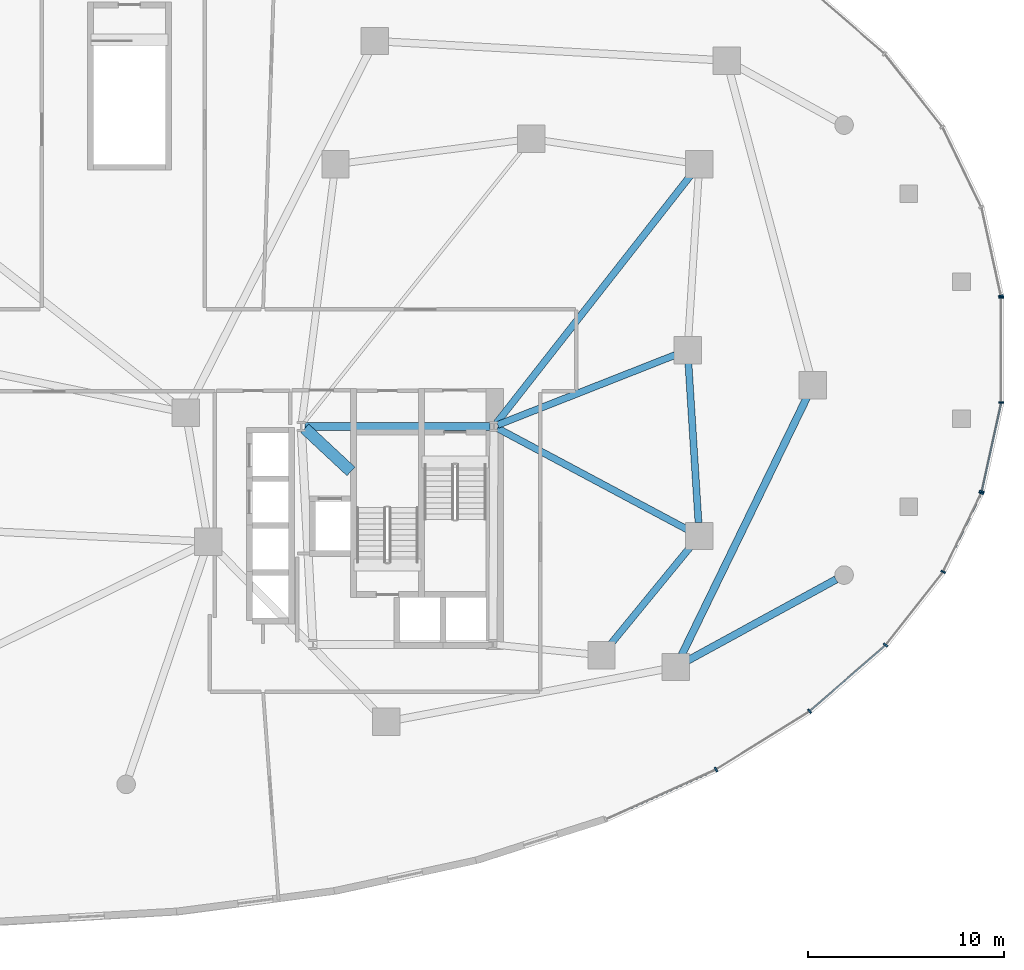
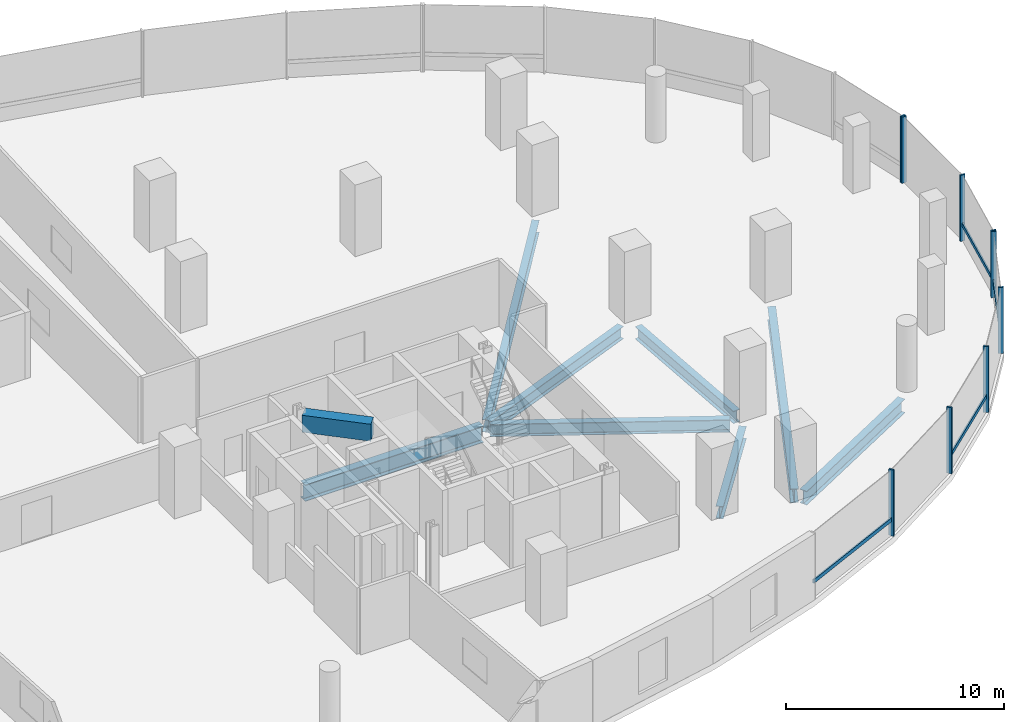
# One storey, part 8 of 18: 13 members, 9 beams, 3 elements without a shape of their own.
"""IFC4 building model written with IfcOpenShell, lengths in metres."""

import ifcopenshell
import ifcopenshell.guid

model = None  # the IFC model being written
_history = None  # IfcOwnerHistory: only IFC2X3 demands one
_inside = {}  # id of a spatial element -> (the spatial element, [elements in it])
_under = {}  # id of a project, library or spatial element -> (it, [spatial elements below it])
_declared = {}  # id of a project -> (the project, [libraries it declares])
_typed = {}  # id of a type object -> (the type object, [elements of that type])
_made_of = {}  # id of a material, layer set ... -> (it, [elements and type objects made of it])


def new_model(schema):
    """Start an empty IFC model of exactly this schema.

    Asked for "IFC4X3", IfcOpenShell would pick the latest addendum, in which some entities
    have other attributes; the version numbers below select the first issue.
    IFC2X3 requires an IfcOwnerHistory on every rooted entity: one is made here for all.
    """
    global model, _history
    if schema == "IFC4X3":
        model = ifcopenshell.file(schema_version=(4, 3, 0, 0))
    else:
        model = ifcopenshell.file(schema=schema)
    _inside.clear()
    _under.clear()
    _declared.clear()
    _typed.clear()
    _made_of.clear()
    _history = None
    if model.schema == "IFC2X3":
        org = make("IfcOrganization", Name="unknown")
        user = make(
            "IfcPersonAndOrganization",
            ThePerson=make("IfcPerson", FamilyName="unknown"),
            TheOrganization=org,
        )
        app = make(
            "IfcApplication",
            ApplicationDeveloper=org,
            Version="unknown",
            ApplicationFullName="unknown",
            ApplicationIdentifier="unknown",
        )
        _history = make(
            "IfcOwnerHistory",
            OwningUser=user,
            OwningApplication=app,
            ChangeAction="ADDED",
            CreationDate=0,
        )
    return model


def make(cls, **values):
    """One entity of the class cls with the attributes given. An attribute that is None is left unset."""
    return model.create_entity(
        cls, **{name: value for name, value in values.items() if value is not None}
    )


def rooted(cls, **values):
    """An entity with a GlobalId (a new one), such as an element, a storey or a relation."""
    return make(cls, GlobalId=ifcopenshell.guid.new(), OwnerHistory=_history, **values)


def si_unit(unit_type, name, prefix=None):
    """IfcSIUnit, for example si_unit("LENGTHUNIT", "METRE", prefix="MILLI")."""
    return make("IfcSIUnit", UnitType=unit_type, Prefix=prefix, Name=name)


def assignment(units):
    """IfcUnitAssignment: the units of a project."""
    return None if units is None else make("IfcUnitAssignment", Units=units)


def point(xyz):
    """IfcCartesianPoint."""
    return None if xyz is None else make("IfcCartesianPoint", Coordinates=xyz)


def direction(xyz):
    """IfcDirection."""
    return None if xyz is None else make("IfcDirection", DirectionRatios=xyz)


def frame(location, z_axis=None, x_axis=None):
    """IfcAxis2Placement3D, a coordinate frame: its origin and axes. An axis left out is left unset."""
    return make(
        "IfcAxis2Placement3D",
        Location=point(location),
        Axis=direction(z_axis),
        RefDirection=direction(x_axis),
    )


def frame_2d(location, x_axis=None):
    """IfcAxis2Placement2D, a coordinate frame in the plane: its origin and x axis."""
    return make(
        "IfcAxis2Placement2D", Location=point(location), RefDirection=direction(x_axis)
    )


def origin():
    """The frame at (0, 0, 0) with its axes left unset."""
    return frame((0.0, 0.0, 0.0))


def origin_2d():
    """The frame at (0, 0) in the plane with its x axis left unset."""
    return frame_2d((0.0, 0.0))


def place(relative_to, where):
    """IfcLocalPlacement: puts the frame where relative to a parent placement (None: the world)."""
    return make(
        "IfcLocalPlacement", PlacementRelTo=relative_to, RelativePlacement=where
    )


def context(
    kind, dimensions, precision=None, world=None, true_north=None, identifier=None
):
    """IfcGeometricRepresentationContext, for example the 3D "Model" context."""
    return make(
        "IfcGeometricRepresentationContext",
        ContextIdentifier=identifier,
        ContextType=kind,
        CoordinateSpaceDimension=dimensions,
        Precision=precision,
        WorldCoordinateSystem=world,
        TrueNorth=true_north,
    )


def subcontext(parent, identifier, kind, view, scale=None):
    """IfcGeometricRepresentationSubContext, for example "Body" below "Model"."""
    return make(
        "IfcGeometricRepresentationSubContext",
        ContextIdentifier=identifier,
        ContextType=kind,
        ParentContext=parent,
        TargetScale=scale,
        TargetView=view,
    )


def project(units=None, contexts=None):
    """IfcProject with its units and contexts."""
    return rooted(
        "IfcProject",
        Name="project",
        RepresentationContexts=contexts,
        UnitsInContext=assignment(units),
    )


def spatial(cls, under=None, at=None, **own):
    """A site, building, storey or space (cls), placed at a placement, below another one or the project."""
    s = rooted(cls, ObjectPlacement=at, **own)
    if under is not None:
        _under.setdefault(under.id(), (under, []))[1].append(s)
    return s


def profile(cls, at=None, kind="AREA", **sizes):
    """A parametric profile (cls). Its sizes go by their IFC names, for example OverallWidth=200.0."""
    return make(cls, ProfileType=kind, Position=at, **sizes)


def rectangle(**sizes):
    """IfcRectangleProfileDef."""
    return profile("IfcRectangleProfileDef", **sizes)


def i_section(**sizes):
    """IfcIShapeProfileDef."""
    return profile("IfcIShapeProfileDef", **sizes)


def extrude(swept, where, along, depth):
    """IfcExtrudedAreaSolid: the profile swept, set in the frame where, extruded along a direction by depth."""
    return make(
        "IfcExtrudedAreaSolid",
        SweptArea=swept,
        Position=where,
        ExtrudedDirection=direction(along),
        Depth=depth,
    )


def shape(context_of_items, identifier, shape_type, items):
    """IfcShapeRepresentation: the items that make up one representation, for example the "Body"."""
    return make(
        "IfcShapeRepresentation",
        ContextOfItems=context_of_items,
        RepresentationIdentifier=identifier,
        RepresentationType=shape_type,
        Items=items,
    )


def material(Name=None, Category=None):
    """IfcMaterial."""
    return make("IfcMaterial", Name=Name, Category=Category)


def material_profile(
    of_material, cross_section, Name=None, Category=None, Priority=None
):
    """IfcMaterialProfile: a cross section and its material."""
    return make(
        "IfcMaterialProfile",
        Name=Name,
        Material=of_material,
        Profile=cross_section,
        Priority=Priority,
        Category=Category,
    )


def profile_set(profiles, Name=None, composite=None):
    """IfcMaterialProfileSet."""
    return make(
        "IfcMaterialProfileSet",
        Name=Name,
        MaterialProfiles=profiles,
        CompositeProfile=composite,
    )


def made_of(thing, what):
    """Note that an element or type object is made of a material, layer set ...; save() writes the relation."""
    if what is not None:
        _made_of.setdefault(what.id(), (what, []))[1].append(thing)
    return thing


def type_object(cls, material=None, **own):
    """A type object (cls), such as IfcWallType, which elements share."""
    return made_of(rooted(cls, **own), material)


def element(
    cls,
    number,
    at=None,
    inside=None,
    cuts=None,
    type_object=None,
    material=None,
    context=None,
    identifier="Body",
    shape_type=None,
    held_by="IfcProductDefinitionShape",
    body=None,
    shapes=None,
    **own,
):
    """One element of the class cls, such as IfcWall. Its Tag is "e" and its number.

    at: its placement. inside: the storey or other place that contains it. cuts: it is an
    opening in that element (IfcRelVoidsElement). A single representation is given by context,
    identifier, shape_type and body (its items); several are given by shapes. held_by: the class
    of the entity that holds the representations. save() writes the other relations.
    """
    e = rooted(cls, Tag="e%d" % number, ObjectPlacement=at, **own)
    if body is not None:
        shapes = [shape(context, identifier, shape_type, body)]
    if shapes is not None:
        e.Representation = make(held_by, Representations=shapes)
    if inside is not None:
        _inside.setdefault(inside.id(), (inside, []))[1].append(e)
    if cuts is not None:
        rooted(
            "IfcRelVoidsElement", RelatingBuildingElement=cuts, RelatedOpeningElement=e
        )
    if type_object is not None:
        _typed.setdefault(type_object.id(), (type_object, []))[1].append(e)
    return made_of(e, material)


def aggregate(whole, parts):
    """IfcRelAggregates: a whole, such as a stair, and the parts it consists of."""
    return rooted("IfcRelAggregates", RelatingObject=whole, RelatedObjects=parts)


def save(model, path):
    """Write the relations noted so far, then the file.

    IfcRelAggregates (storeys below a building ...), IfcRelContainedInSpatialStructure (elements
    in a storey), IfcRelDefinesByType, IfcRelAssociatesMaterial and IfcRelDeclares: one each for
    every whole, place, type object, material and project.
    """
    for whole, parts in _under.values():
        aggregate(whole, parts)
    for where, things in _inside.values():
        rooted(
            "IfcRelContainedInSpatialStructure",
            RelatedElements=things,
            RelatingStructure=where,
        )
    for kind, things in _typed.values():
        rooted("IfcRelDefinesByType", RelatedObjects=things, RelatingType=kind)
    for what, things in _made_of.values():
        rooted("IfcRelAssociatesMaterial", RelatedObjects=things, RelatingMaterial=what)
    for by, libraries in _declared.values():
        rooted("IfcRelDeclares", RelatingContext=by, RelatedDefinitions=libraries)
    model.write(path)


model = new_model("IFC4")

# Units and contexts
model_context = context("Model", 3, precision=1e-05, world=origin(), true_north=direction((0.0, 1.0)))
body_context = subcontext(model_context, "Body", "Model", "MODEL_VIEW")
ifc_project = project(units=[si_unit("LENGTHUNIT", "METRE"), si_unit("AREAUNIT", "SQUARE_METRE"), si_unit("VOLUMEUNIT", "CUBIC_METRE"), si_unit("PLANEANGLEUNIT", "RADIAN"), si_unit("MASSUNIT", "GRAM", prefix="KILO"), si_unit("THERMODYNAMICTEMPERATUREUNIT", "KELVIN"), si_unit("POWERUNIT", "WATT")], contexts=[model_context])

# Site, building, storey
site_placement = place(None, origin())
site = spatial("IfcSite", under=ifc_project, at=site_placement, CompositionType="ELEMENT")
building_placement = place(site_placement, origin())
building = spatial("IfcBuilding", under=site, at=building_placement, Name="Cundina Bronze Exchange", CompositionType="ELEMENT")
storey_placement = place(building_placement, frame((0.0, 0.0, 20.0)))
storey = spatial("IfcBuildingStorey", under=building, at=storey_placement, Name="L04", CompositionType="ELEMENT", Elevation=20.0)

# Beams
ifc_material_1 = material(Name="Concrete C60/75", Category="concrete")
ifc_material_profile_1 = material_profile(ifc_material_1, rectangle(XDim=0.60009765625, YDim=0.949951171875, at=origin_2d()), Name="RC600X950", Category="concrete")
ifc_profile_set_1 = profile_set([ifc_material_profile_1], Name="Concrete C60/75")
beam_type_1 = type_object("IfcBeamType", Name="BM-COUP-RC950", PredefinedType="LINTEL", material=ifc_profile_set_1)
beam_1_placement = place(storey_placement, frame((21.6298828125, -4.0, 3.22509765625), z_axis=(0.731490439815, -0.681851696822, 0.0), x_axis=(0.681851696822, 0.731490439815, 0.0)))
element("IfcBeam", 1, at=beam_1_placement, inside=storey, type_object=beam_type_1, Name="L04 E Core Shear Coupling Lintel Beam", PredefinedType="LINTEL", context=body_context, shape_type="SweptSolid", body=[
    extrude(rectangle(XDim=0.60009765625, YDim=0.949951171875, at=origin_2d()), origin(), (0.0, 0.0, 1.0), 3.226318359375),
])
ifc_material_2 = material(Name="Steel ASTM A992 Grade 50", Category="steel")
ifc_material_profile_2 = material_profile(ifc_material_2, i_section(OverallWidth=0.35498046875, OverallDepth=0.695068359375, WebThickness=0.015380859375, FlangeThickness=0.02490234375, FilletRadius=0.01806640625, at=origin_2d()), Name="W27X146", Category="steel")
ifc_profile_set_2 = profile_set([ifc_material_profile_2], Name="Steel ASTM A992 Grade 50")
beam_type_2 = type_object("IfcBeamType", Name="BM-RING-W27", PredefinedType="USERDEFINED", material=ifc_profile_set_2)
beam_2_placement = place(storey_placement, frame((37.236083984375, -15.06787109375, -0.697509765625), z_axis=(0.633941925234, 0.773380653644, 0.0), x_axis=(-0.773380653644, 0.633941925234, 0.0)))
element("IfcBeam", 2, at=beam_2_placement, inside=storey, type_object=beam_type_2, Name="L04 E Inner Structural Ring Girder 02", ObjectType="GIRDER", PredefinedType="USERDEFINED", context=body_context, shape_type="SweptSolid", body=[
    extrude(i_section(OverallWidth=0.35498046875, OverallDepth=0.695068359375, WebThickness=0.015380859375, FlangeThickness=0.02490234375, FilletRadius=0.01806640625, at=origin_2d()), origin(), (0.0, 0.0, 1.0), 6.511474609375),
])
beam_3_placement = place(storey_placement, frame((41.756591796875, -8.8134765625, -0.697509765625), z_axis=(-0.063020359641, 0.998012241544, 0.0), x_axis=(-0.998012241544, -0.063020359641, 0.0)))
element("IfcBeam", 3, at=beam_3_placement, inside=storey, type_object=beam_type_2, Name="L04 E Inner Structural Ring Girder 03", ObjectType="GIRDER", PredefinedType="USERDEFINED", context=body_context, shape_type="SweptSolid", body=[
    extrude(i_section(OverallWidth=0.35498046875, OverallDepth=0.695068359375, WebThickness=0.015380859375, FlangeThickness=0.02490234375, FilletRadius=0.01806640625, at=origin_2d()), origin(), (0.0, 0.0, 1.0), 8.14306640625),
])
beam_4_placement = place(storey_placement, frame((31.48974609375, -3.8251953125, -0.697509765625), z_axis=(0.930410463214, 0.366519262715, 0.0), x_axis=(-0.366519262715, 0.930410463214, 0.0)))
element("IfcBeam", 4, at=beam_4_placement, inside=storey, type_object=beam_type_2, Name="L04 E Core-to-Waist Tie Beam 1", ObjectType="GIRDER", PredefinedType="USERDEFINED", context=body_context, shape_type="SweptSolid", body=[
    extrude(i_section(OverallWidth=0.35498046875, OverallDepth=0.695068359375, WebThickness=0.015380859375, FlangeThickness=0.02490234375, FilletRadius=0.01806640625, at=origin_2d()), origin(), (0.0, 0.0, 1.0), 9.74853515625),
])
beam_5_placement = place(storey_placement, frame((31.47998046875, -3.99609375, -0.697509765625), z_axis=(0.882354169055, -0.470585933014, 0.0), x_axis=(0.470585933014, 0.882354169055, 0.0)))
element("IfcBeam", 5, at=beam_5_placement, inside=storey, type_object=beam_type_2, Name="L04 E Core-to-Waist Tie Beam 2", ObjectType="GIRDER", PredefinedType="USERDEFINED", context=body_context, shape_type="SweptSolid", body=[
    extrude(i_section(OverallWidth=0.35498046875, OverallDepth=0.695068359375, WebThickness=0.015380859375, FlangeThickness=0.02490234375, FilletRadius=0.01806640625, at=origin_2d()), origin(), (0.0, 0.0, 1.0), 11.0078125),
])
beam_6_placement = place(storey_placement, frame((31.42578125, -3.739501953125, -0.697509765625), z_axis=(0.616784362929, 0.787132167839, 0.0), x_axis=(-0.787132167839, 0.616784362929, 0.0)))
element("IfcBeam", 6, at=beam_6_placement, inside=storey, type_object=beam_type_2, Name="L04 E Core-to-Waist Tie Beam 3", ObjectType="GIRDER", PredefinedType="USERDEFINED", context=body_context, shape_type="SweptSolid", body=[
    extrude(i_section(OverallWidth=0.35498046875, OverallDepth=0.695068359375, WebThickness=0.015380859375, FlangeThickness=0.02490234375, FilletRadius=0.01806640625, at=origin_2d()), origin(), (0.0, 0.0, 1.0), 16.132080078125),
])
ifc_material_profile_3 = material_profile(ifc_material_2, i_section(OverallWidth=0.381103515625, OverallDepth=0.77294921875, WebThickness=0.0166015625, FlangeThickness=0.027099609375, FilletRadius=0.01904296875, at=origin_2d()), Name="W30X173", Category="steel")
ifc_profile_set_3 = profile_set([ifc_material_profile_3], Name="Steel ASTM A992 Grade 50")
beam_type_3 = type_object("IfcBeamType", Name="BM-RING-W30", PredefinedType="USERDEFINED", material=ifc_profile_set_3)
beam_7_placement = place(storey_placement, frame((48.793701171875, -11.721923828125, -0.736572265625), z_axis=(-0.877499398221, -0.479577737308, 0.0), x_axis=(0.479577737308, -0.877499398221, 0.0)))
element("IfcBeam", 7, at=beam_7_placement, inside=storey, type_object=beam_type_3, Name="L04 Podium Colonnade Tie Beam 08", ObjectType="GIRDER", PredefinedType="USERDEFINED", context=body_context, shape_type="SweptSolid", body=[
    extrude(i_section(OverallWidth=0.381103515625, OverallDepth=0.77294921875, WebThickness=0.0166015625, FlangeThickness=0.027099609375, FilletRadius=0.01904296875, at=origin_2d()), origin(), (0.0, 0.0, 1.0), 8.649658203125),
])
beam_8_placement = place(storey_placement, frame((40.90087890625, -15.581298828125, -0.736572265625), z_axis=(0.437190083216, 0.899369129522, 0.0), x_axis=(-0.899369129522, 0.437190083216, 0.0)))
element("IfcBeam", 8, at=beam_8_placement, inside=storey, type_object=beam_type_3, Name="L04 E Podium Ring Girder 06", ObjectType="GIRDER", PredefinedType="USERDEFINED", context=body_context, shape_type="SweptSolid", body=[
    extrude(i_section(OverallWidth=0.381103515625, OverallDepth=0.77294921875, WebThickness=0.0166015625, FlangeThickness=0.027099609375, FilletRadius=0.01904296875, at=origin_2d()), origin(), (0.0, 0.0, 1.0), 14.63525390625),
])
ifc_material_profile_4 = material_profile(ifc_material_2, i_section(OverallWidth=0.41796875, OverallDepth=0.927001953125, WebThickness=0.019287109375, FlangeThickness=0.031982421875, FilletRadius=0.02392578125, at=origin_2d()), Name="W36X231", Category="steel")
ifc_profile_set_4 = profile_set([ifc_material_profile_4], Name="Steel ASTM A992 Grade 50")
beam_type_4 = type_object("IfcBeamType", Name="BM-WRN-W36B", PredefinedType="USERDEFINED", material=ifc_profile_set_4)
beam_9_placement = place(storey_placement, frame((31.095947265625, -3.89990234375, -0.8134765625), z_axis=(-1.0, 0.0, 0.0), x_axis=(0.0, -1.0, 0.0)))
element("IfcBeam", 9, at=beam_9_placement, inside=storey, type_object=beam_type_4, Name="L04 E Core Perimeter Tie Girder 1", ObjectType="GIRDER", PredefinedType="USERDEFINED", context=body_context, shape_type="SweptSolid", body=[
    extrude(i_section(OverallWidth=0.41796875, OverallDepth=0.927001953125, WebThickness=0.019287109375, FlangeThickness=0.031982421875, FilletRadius=0.02392578125, at=origin_2d()), origin(), (0.0, 0.0, 1.0), 9.44189453125),
])

# Curtain wall, member
ifc_material_3 = material(Name="Anodised Bronze Aluminium 6063-T6", Category="aluminium")
curtain_wall_type = type_object("IfcCurtainWallType", Name="CWS-POD-CONC", PredefinedType="NOTDEFINED", material=ifc_material_3)
curtain_wall_1_placement = place(storey_placement, origin())
curtain_wall_1 = element("IfcCurtainWall", 10, at=curtain_wall_1_placement, inside=storey, type_object=curtain_wall_type, Name="L04 CW-01 Curtain Wall Run CWR-L04-01", PredefinedType="NOTDEFINED")
ifc_material_profile_5 = material_profile(ifc_material_3, rectangle(XDim=0.0849609375, YDim=0.25, at=origin_2d()), Name="AL85X250", Category="aluminium")
ifc_profile_set_5 = profile_set([ifc_material_profile_5], Name="Anodised Bronze Aluminium 6063-T6")
member_type_1 = type_object("IfcMemberType", Name="CWM-MUL-250", PredefinedType="MULLION", material=ifc_profile_set_5)
member_1_placement = place(storey_placement, frame((57.219482421875, 2.76708984375, 0.0), z_axis=(0.0, 0.0, 1.0), x_axis=(-0.214564862428, 0.976709741843, 0.0)))
member_1 = element("IfcMember", 11, at=member_1_placement, type_object=member_type_1, Name="CW-01 Mullion 1", PredefinedType="MULLION", context=body_context, shape_type="SweptSolid", body=[
    extrude(rectangle(XDim=0.0849609375, YDim=0.25, at=origin_2d()), origin(), (0.0, 0.0, 1.0), 3.699951171875),
])
aggregate(curtain_wall_1, [member_1])

# Curtain wall, members
curtain_wall_2_placement = place(storey_placement, origin())
curtain_wall_2 = element("IfcCurtainWall", 12, at=curtain_wall_2_placement, inside=storey, type_object=curtain_wall_type, Name="L04 CW-01 Curtain Wall Run CWR-L04-06", PredefinedType="NOTDEFINED")
member_2_placement = place(storey_placement, frame((42.654052734375, -21.4404296875, 0.0), z_axis=(0.0, 0.0, 1.0), x_axis=(0.849340400263, 0.527845511945, 0.0)))
member_2 = element("IfcMember", 13, at=member_2_placement, type_object=member_type_1, Name="CW-01 Mullion 2", PredefinedType="MULLION", context=body_context, shape_type="SweptSolid", body=[
    extrude(rectangle(XDim=0.0849609375, YDim=0.25, at=origin_2d()), origin(), (0.0, 0.0, 1.0), 3.699951171875),
])
member_3_placement = place(storey_placement, frame((47.43701171875, -18.45849609375, 0.0), z_axis=(0.0, 0.0, 1.0), x_axis=(0.755510544084, 0.6551364879, 0.0)))
member_3 = element("IfcMember", 14, at=member_3_placement, type_object=member_type_1, Name="CW-01 Mullion 3", PredefinedType="MULLION", context=body_context, shape_type="SweptSolid", body=[
    extrude(rectangle(XDim=0.0849609375, YDim=0.25, at=origin_2d()), origin(), (0.0, 0.0, 1.0), 3.699951171875),
])
member_4_placement = place(storey_placement, frame((51.320068359375, -15.08056640625, 0.0), z_axis=(0.0, 0.0, 1.0), x_axis=(0.61950505541, 0.784992666412, 0.0)))
member_4 = element("IfcMember", 15, at=member_4_placement, type_object=member_type_1, Name="CW-01 Mullion 4", PredefinedType="MULLION", context=body_context, shape_type="SweptSolid", body=[
    extrude(rectangle(XDim=0.0849609375, YDim=0.25, at=origin_2d()), origin(), (0.0, 0.0, 1.0), 3.699951171875),
])
member_5_placement = place(storey_placement, frame((54.263427734375, -11.335205078125, 0.0), z_axis=(0.0, 0.0, 1.0), x_axis=(0.435702445497, 0.900090761528, 0.0)))
member_5 = element("IfcMember", 16, at=member_5_placement, type_object=member_type_1, Name="CW-01 Mullion 5", PredefinedType="MULLION", context=body_context, shape_type="SweptSolid", body=[
    extrude(rectangle(XDim=0.0849609375, YDim=0.25, at=origin_2d()), origin(), (0.0, 0.0, 1.0), 3.699951171875),
])
member_6_placement = place(storey_placement, frame((56.211669921875, -7.311279296875, 0.0), z_axis=(0.0, 0.0, 1.0), x_axis=(0.435702445497, 0.900090761528, 0.0)))
member_6 = element("IfcMember", 17, at=member_6_placement, type_object=member_type_1, Name="CW-01 End Mullion", PredefinedType="MULLION", context=body_context, shape_type="SweptSolid", body=[
    extrude(rectangle(XDim=0.0849609375, YDim=0.25, at=origin_2d()), origin(), (0.0, 0.0, 1.0), 3.699951171875),
])

curtain_wall_3_placement = place(storey_placement, origin())
curtain_wall_3 = element("IfcCurtainWall", 18, at=curtain_wall_3_placement, inside=storey, type_object=curtain_wall_type, Name="L04 CW-01 Curtain Wall Run CWR-L04-07", PredefinedType="NOTDEFINED")
member_7_placement = place(storey_placement, frame((56.239013671875, -7.231689453125, 0.0), z_axis=(0.0, 0.0, 1.0), x_axis=(0.214564862428, 0.976709741843, 0.0)))
member_7 = element("IfcMember", 19, at=member_7_placement, type_object=member_type_1, Name="CW-01 Mullion 1", PredefinedType="MULLION", context=body_context, shape_type="SweptSolid", body=[
    extrude(rectangle(XDim=0.0849609375, YDim=0.25, at=origin_2d()), origin(), (0.0, 0.0, 1.0), 3.699951171875),
])
member_8_placement = place(storey_placement, frame((57.22900390625, -2.680419921875, 0.0), z_axis=(0.0, 0.0, 1.0), x_axis=(0.0, 1.0, 0.0)))
member_8 = element("IfcMember", 20, at=member_8_placement, type_object=member_type_1, Name="CW-01 Mullion 2", PredefinedType="MULLION", context=body_context, shape_type="SweptSolid", body=[
    extrude(rectangle(XDim=0.0849609375, YDim=0.25, at=origin_2d()), origin(), (0.0, 0.0, 1.0), 3.699951171875),
])
member_9_placement = place(storey_placement, frame((57.22900390625, 2.680419921875, 0.0), z_axis=(0.0, 0.0, 1.0), x_axis=(0.0, 1.0, 0.0)))
member_9 = element("IfcMember", 21, at=member_9_placement, type_object=member_type_1, Name="CW-01 End Mullion", PredefinedType="MULLION", context=body_context, shape_type="SweptSolid", body=[
    extrude(rectangle(XDim=0.0849609375, YDim=0.25, at=origin_2d()), origin(), (0.0, 0.0, 1.0), 3.699951171875),
])

# Member
ifc_material_profile_6 = material_profile(ifc_material_3, rectangle(XDim=0.080078125, YDim=0.2099609375, at=origin_2d()), Name="AL80X210", Category="aluminium")
ifc_profile_set_6 = profile_set([ifc_material_profile_6], Name="Anodised Bronze Aluminium 6063-T6")
member_type_2 = type_object("IfcMemberType", Name="CWM-TRN-210", PredefinedType="USERDEFINED", material=ifc_profile_set_6)
member_10_placement = place(storey_placement, frame((37.056396484375, -23.97119140625, 0.919921875), z_axis=(0.911641535198, 0.410986266561, 0.0), x_axis=(-0.410986266561, 0.911641535198, 0.0)))
member_10 = element("IfcMember", 22, at=member_10_placement, type_object=member_type_2, Name="CW-01 Spandrel Transom 1", ObjectType="TRANSOM", PredefinedType="USERDEFINED", context=body_context, shape_type="SweptSolid", body=[
    extrude(rectangle(XDim=0.080078125, YDim=0.2099609375, at=origin_2d()), origin(), (0.0, 0.0, 1.0), 6.090576171875),
])

member_11_placement = place(storey_placement, frame((47.472412109375, -18.427734375, 0.919921875), z_axis=(0.755563201238, 0.655075758164, 0.0), x_axis=(-0.655075758164, 0.755563201238, 0.0)))
member_11 = element("IfcMember", 23, at=member_11_placement, type_object=member_type_2, Name="CW-01 Spandrel Transom 3", ObjectType="TRANSOM", PredefinedType="USERDEFINED", context=body_context, shape_type="SweptSolid", body=[
    extrude(rectangle(XDim=0.080078125, YDim=0.2099609375, at=origin_2d()), origin(), (0.0, 0.0, 1.0), 5.055908203125),
])

member_12_placement = place(storey_placement, frame((54.28369140625, -11.293212890625, 0.919921875), z_axis=(0.435776682523, 0.900054822202, 0.0), x_axis=(-0.900054822202, 0.435776682523, 0.0)))
member_12 = element("IfcMember", 24, at=member_12_placement, type_object=member_type_2, Name="CW-01 Spandrel Transom 5", ObjectType="TRANSOM", PredefinedType="USERDEFINED", context=body_context, shape_type="SweptSolid", body=[
    extrude(rectangle(XDim=0.080078125, YDim=0.2099609375, at=origin_2d()), origin(), (0.0, 0.0, 1.0), 4.377197265625),
])

aggregate(curtain_wall_2, [member_10, member_2, member_3, member_11, member_4, member_5, member_6, member_12])

member_13_placement = place(storey_placement, frame((56.249267578125, -7.18603515625, 0.919921875), z_axis=(0.214447065297, 0.976735612224, 0.0), x_axis=(-0.976735612224, 0.214447065297, 0.0)))
member_13 = element("IfcMember", 25, at=member_13_placement, type_object=member_type_2, Name="CW-01 Spandrel Transom 1", ObjectType="TRANSOM", PredefinedType="USERDEFINED", context=body_context, shape_type="SweptSolid", body=[
    extrude(rectangle(XDim=0.080078125, YDim=0.2099609375, at=origin_2d()), origin(), (0.0, 0.0, 1.0), 4.571044921875),
])

aggregate(curtain_wall_3, [member_7, member_13, member_8, member_9])

save(model, "model.ifc")
